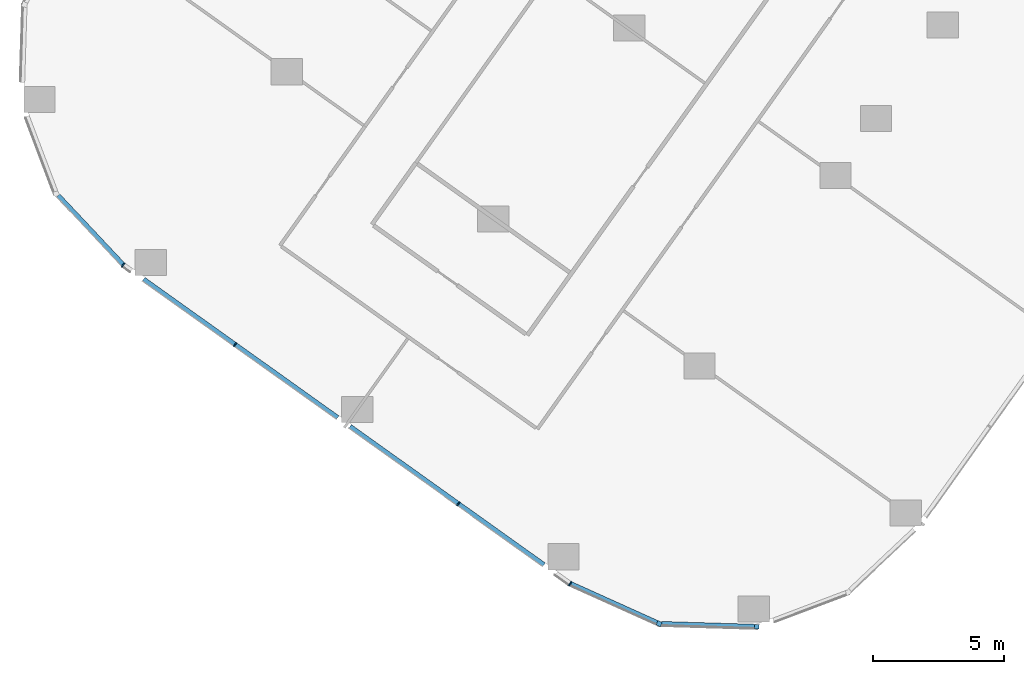
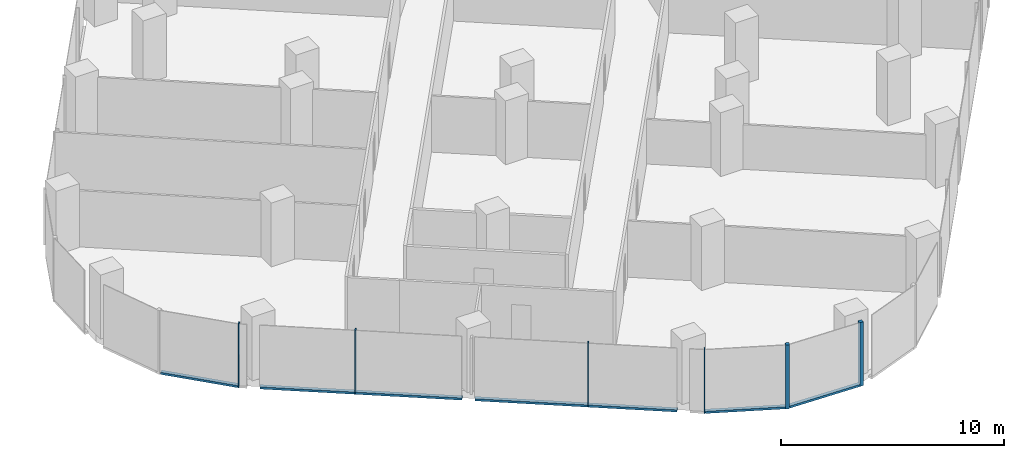
# One storey, part 2 of 31: 11 members, 4 elements without a shape of their own.
"""IFC4 building model written with IfcOpenShell, lengths in metres."""

from ifc_helpers import new_model, si_unit, direction, frame, origin, origin_2d, place, context, subcontext, project, spatial, rectangle, extrude, material, material_profile, profile_set, type_object, element, aggregate, save


model = new_model("IFC4")

# Units and contexts
model_context = context("Model", 3, precision=1e-05, world=origin(), true_north=direction((0.0, 1.0)))
body_context = subcontext(model_context, "Body", "Model", "MODEL_VIEW")
ifc_project = project(units=[si_unit("LENGTHUNIT", "METRE"), si_unit("AREAUNIT", "SQUARE_METRE"), si_unit("VOLUMEUNIT", "CUBIC_METRE"), si_unit("PLANEANGLEUNIT", "RADIAN"), si_unit("MASSUNIT", "GRAM", prefix="KILO")], contexts=[model_context])

# Site, building, storey
site_placement = place(None, origin())
site = spatial("IfcSite", under=ifc_project, at=site_placement, CompositionType="ELEMENT")
building_placement = place(site_placement, origin())
building = spatial("IfcBuilding", under=site, at=building_placement, Name="Orlundy Tower", CompositionType="ELEMENT")
storey_placement = place(building_placement, frame((0.0, 0.0, 91.199951171875)))
storey = spatial("IfcBuildingStorey", under=building, at=storey_placement, Name="L22", CompositionType="ELEMENT", Elevation=91.199951171875)

# Curtain wall, member
ifc_material_1 = material(Name="Aluminium bronze anodised", Category="aluminium")
curtain_wall_type = type_object("IfcCurtainWallType", Name="CW1 wall", PredefinedType="NOTDEFINED", material=ifc_material_1)
curtain_wall_1_placement = place(storey_placement, origin())
curtain_wall_1 = element("IfcCurtainWall", 1, at=curtain_wall_1_placement, inside=storey, type_object=curtain_wall_type, Name="CW1 run 021", PredefinedType="NOTDEFINED")
ifc_material_2 = material(Name="Aluminium bronze anodised", Category="aluminium")
ifc_material_profile_1 = material_profile(ifc_material_2, rectangle(XDim=0.179931640625, YDim=0.179931640625, at=origin_2d()), Name="CW1 corner post 180x180")
ifc_profile_set_1 = profile_set([ifc_material_profile_1], Name="Aluminium bronze anodised")
member_type_1 = type_object("IfcMemberType", Name="CW1 corner post 180x180", PredefinedType="MULLION", material=ifc_profile_set_1)
member_1_placement = place(storey_placement, frame((-19.48486328125, -57.077392578125, -0.39990234375), z_axis=(0.0, 0.0, 1.0), x_axis=(-0.030485149754, -0.999535219812, 0.0)))
member_1 = element("IfcMember", 2, at=member_1_placement, type_object=member_type_1, Name="CW1 mullion 59", PredefinedType="MULLION", context=body_context, shape_type="SweptSolid", body=[
    extrude(rectangle(XDim=0.179931640625, YDim=0.179931640625, at=origin_2d()), origin(), (0.0, 0.0, 1.0), 3.5),
])

curtain_wall_2_placement = place(storey_placement, origin())
curtain_wall_2 = element("IfcCurtainWall", 3, at=curtain_wall_2_placement, inside=storey, type_object=curtain_wall_type, Name="CW1 run 022", PredefinedType="NOTDEFINED")
member_2_placement = place(storey_placement, frame((-23.2255859375, -56.96337890625, -0.39990234375), z_axis=(0.0, 0.0, 1.0), x_axis=(-0.410914311157, -0.911673970719, 0.0)))
member_2 = element("IfcMember", 4, at=member_2_placement, type_object=member_type_1, Name="CW1 mullion 60", PredefinedType="MULLION", context=body_context, shape_type="SweptSolid", body=[
    extrude(rectangle(XDim=0.179931640625, YDim=0.179931640625, at=origin_2d()), origin(), (0.0, 0.0, 1.0), 3.5),
])

# Curtain wall, members
curtain_wall_3_placement = place(storey_placement, origin())
curtain_wall_3 = element("IfcCurtainWall", 5, at=curtain_wall_3_placement, inside=storey, type_object=curtain_wall_type, Name="CW1 run 023", PredefinedType="NOTDEFINED")
ifc_material_3 = material(Name="Aluminium bronze anodised", Category="aluminium")
ifc_material_profile_2 = material_profile(ifc_material_3, rectangle(XDim=0.179931640625, YDim=0.050048828125, at=origin_2d()), Name="CW1 mullion 50x180")
ifc_profile_set_2 = profile_set([ifc_material_profile_2], Name="Aluminium bronze anodised")
member_type_2 = type_object("IfcMemberType", Name="CW1 mullion 50x180", PredefinedType="MULLION", material=ifc_profile_set_2)
member_3_placement = place(storey_placement, frame((-26.629150390625, -55.429443359375, -0.39990234375), z_axis=(0.0, 0.0, 1.0), x_axis=(-0.498182691768, -0.867072087905, 0.0)))
member_3 = element("IfcMember", 6, at=member_3_placement, type_object=member_type_2, Name="CW1 mullion 61", PredefinedType="MULLION", context=body_context, shape_type="SweptSolid", body=[
    extrude(rectangle(XDim=0.179931640625, YDim=0.050048828125, at=origin_2d()), origin(), (0.0, 0.0, 1.0), 3.5),
])
member_4_placement = place(storey_placement, frame((-30.910400390625, -52.375732421875, -0.39990234375), z_axis=(0.0, 0.0, 1.0), x_axis=(-0.580665978686, -0.814141892545, 0.0)))
member_4 = element("IfcMember", 7, at=member_4_placement, type_object=member_type_2, Name="CW1 mullion 62", PredefinedType="MULLION", context=body_context, shape_type="SweptSolid", body=[
    extrude(rectangle(XDim=0.179931640625, YDim=0.050048828125, at=origin_2d()), origin(), (0.0, 0.0, 1.0), 3.5),
])
member_5_placement = place(storey_placement, frame((-39.458984375, -46.27880859375, -0.39990234375), z_axis=(0.0, 0.0, 1.0), x_axis=(-0.580665978686, -0.814141892545, 0.0)))
member_5 = element("IfcMember", 8, at=member_5_placement, type_object=member_type_2, Name="CW1 mullion 64", PredefinedType="MULLION", context=body_context, shape_type="SweptSolid", body=[
    extrude(rectangle(XDim=0.179931640625, YDim=0.050048828125, at=origin_2d()), origin(), (0.0, 0.0, 1.0), 3.5),
])

# Curtain wall, member
curtain_wall_4_placement = place(storey_placement, origin())
curtain_wall_4 = element("IfcCurtainWall", 9, at=curtain_wall_4_placement, inside=storey, type_object=curtain_wall_type, Name="CW1 run 024", PredefinedType="NOTDEFINED")
member_6_placement = place(storey_placement, frame((-43.740478515625, -43.22509765625, -0.39990234375), z_axis=(0.0, 0.0, 1.0), x_axis=(-0.65767995209, -0.753297471534, 0.0)))
member_6 = element("IfcMember", 10, at=member_6_placement, type_object=member_type_2, Name="CW1 mullion 65", PredefinedType="MULLION", context=body_context, shape_type="SweptSolid", body=[
    extrude(rectangle(XDim=0.179931640625, YDim=0.050048828125, at=origin_2d()), origin(), (0.0, 0.0, 1.0), 3.5),
])

# Member
ifc_material_4 = material(Name="Aluminium bronze anodised", Category="aluminium")
ifc_material_profile_3 = material_profile(ifc_material_4, rectangle(XDim=0.179931640625, YDim=0.1201171875, at=origin_2d()), Name="CW1 transom 180x120")
ifc_profile_set_3 = profile_set([ifc_material_profile_3], Name="Aluminium bronze anodised")
member_type_3 = type_object("IfcMemberType", Name="CW1 transom 180x120", PredefinedType="USERDEFINED", material=ifc_profile_set_3)
member_7_placement = place(storey_placement, frame((-19.57470703125, -57.07470703125, -0.33984375), z_axis=(-0.999535047536, 0.03049079774, 0.0), x_axis=(-0.03049079774, -0.999535047536, 0.0)))
member_7 = element("IfcMember", 11, at=member_7_placement, type_object=member_type_3, Name="CW1 transom", ObjectType="TRANSOM", PredefinedType="USERDEFINED", context=body_context, shape_type="SweptSolid", body=[
    extrude(rectangle(XDim=0.179931640625, YDim=0.1201171875, at=origin_2d()), origin(), (0.0, 0.0, 1.0), 3.55517578125),
])

aggregate(curtain_wall_1, [member_1, member_7])

member_8_placement = place(storey_placement, frame((-23.3076171875, -56.926513671875, -0.33984375), z_axis=(-0.911667559509, 0.410928535076, 0.0), x_axis=(-0.410928535076, -0.911667559509, 0.0)))
member_8 = element("IfcMember", 12, at=member_8_placement, type_object=member_type_3, Name="CW1 transom", ObjectType="TRANSOM", PredefinedType="USERDEFINED", context=body_context, shape_type="SweptSolid", body=[
    extrude(rectangle(XDim=0.179931640625, YDim=0.1201171875, at=origin_2d()), origin(), (0.0, 0.0, 1.0), 3.6181640625),
])

aggregate(curtain_wall_2, [member_2, member_8])

member_9_placement = place(storey_placement, frame((-27.636962890625, -54.71044921875, -0.33984375), z_axis=(-0.814145758742, 0.580660557919, 0.0), x_axis=(-0.580660557919, -0.814145758742, 0.0)))
member_9 = element("IfcMember", 13, at=member_9_placement, type_object=member_type_3, Name="CW1 transom", ObjectType="TRANSOM", PredefinedType="USERDEFINED", context=body_context, shape_type="SweptSolid", body=[
    extrude(rectangle(XDim=0.179931640625, YDim=0.1201171875, at=origin_2d()), origin(), (0.0, 0.0, 1.0), 9.117919921875),
])

member_10_placement = place(storey_placement, frame((-35.533935546875, -49.078125, -0.33984375), z_axis=(-0.814143896454, 0.580663169029, 0.0), x_axis=(-0.580663169029, -0.814143896454, 0.0)))
member_10 = element("IfcMember", 14, at=member_10_placement, type_object=member_type_3, Name="CW1 transom", ObjectType="TRANSOM", PredefinedType="USERDEFINED", context=body_context, shape_type="SweptSolid", body=[
    extrude(rectangle(XDim=0.179931640625, YDim=0.1201171875, at=origin_2d()), origin(), (0.0, 0.0, 1.0), 9.119140625),
])

aggregate(curtain_wall_3, [member_3, member_4, member_5, member_9, member_10])

member_11_placement = place(storey_placement, frame((-43.7578125, -43.206787109375, -0.33984375), z_axis=(-0.68521073511, 0.7283448692, 0.0), x_axis=(-0.7283448692, -0.68521073511, 0.0)))
member_11 = element("IfcMember", 15, at=member_11_placement, type_object=member_type_3, Name="CW1 transom", ObjectType="TRANSOM", PredefinedType="USERDEFINED", context=body_context, shape_type="SweptSolid", body=[
    extrude(rectangle(XDim=0.179931640625, YDim=0.1201171875, at=origin_2d()), origin(), (0.0, 0.0, 1.0), 3.611083984375),
])

aggregate(curtain_wall_4, [member_6, member_11])

save(model, "model.ifc")
